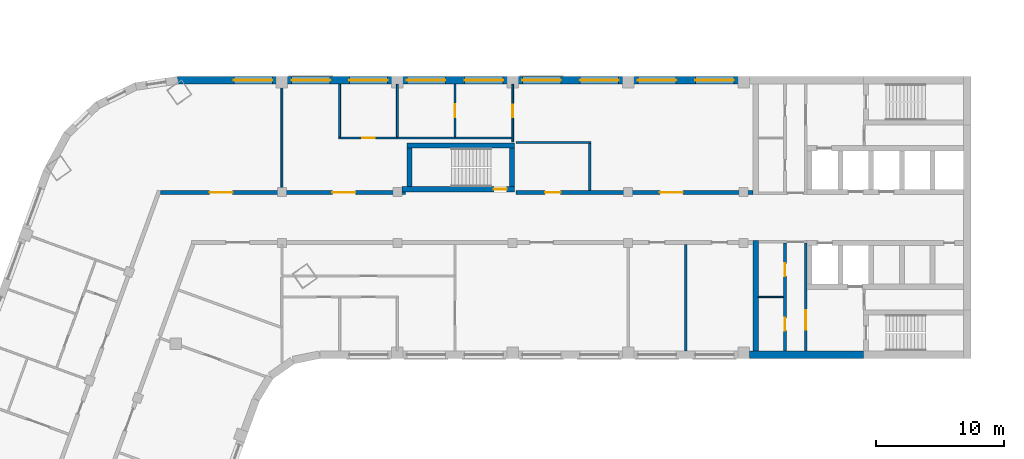
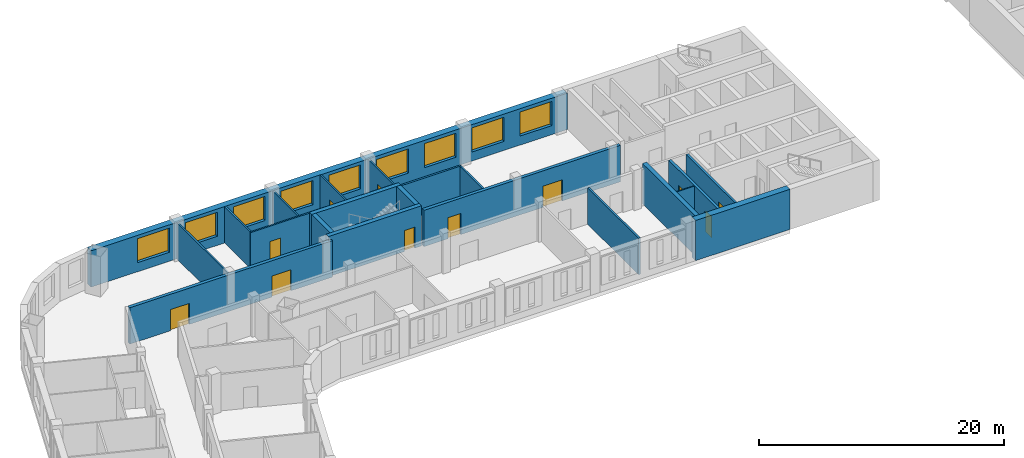
# One storey, part 5 of 12: 21 walls, 11 doors, 9 windows, 20 openings.
"""IFC4 building model written with IfcOpenShell, lengths in metres."""

from ifc_helpers import new_model, si_unit, direction, frame, frame_2d, origin, place, context, subcontext, project, spatial, rectangle, extrude, material, layer, layer_set, type_object, element, fill, save


model = new_model("IFC4")

# Units and contexts
model_context = context("Model", 3, precision=1e-05, world=origin(), true_north=direction((0.0, 1.0)))
body_context = subcontext(model_context, "Body", "Model", "MODEL_VIEW")
ifc_project = project(units=[si_unit("LENGTHUNIT", "METRE"), si_unit("AREAUNIT", "SQUARE_METRE"), si_unit("VOLUMEUNIT", "CUBIC_METRE"), si_unit("PLANEANGLEUNIT", "RADIAN"), si_unit("MASSUNIT", "GRAM", prefix="KILO")], contexts=[model_context])

# Site, building, storey
site_placement = place(None, origin())
site = spatial("IfcSite", under=ifc_project, at=site_placement, CompositionType="ELEMENT")
building_placement = place(site_placement, origin())
building = spatial("IfcBuilding", under=site, at=building_placement, Name="Skarvind Civic Tower", CompositionType="ELEMENT")
storey_placement = place(building_placement, frame((0.0, 0.0, 39.5)))
storey = spatial("IfcBuildingStorey", under=building, at=storey_placement, Name="L08", CompositionType="ELEMENT", Elevation=39.5)

# Walls
ifc_material_1 = material(Name="Acoustic gypsum board on steel studs", Category="steel")
ifc_layer_1 = layer(ifc_material_1, 0.175048828125)
ifc_layer_set_1 = layer_set([ifc_layer_1], Name="ACOUSTIC MEETING-ROOM PARTITION 175")
wall_type_1 = type_object("IfcWallType", Name="ACOUSTIC MEETING-ROOM PARTITION 175", PredefinedType="PARTITIONING", material=ifc_layer_set_1)
wall_1_placement = place(storey_placement, frame((72.5, 133.85009765625, 0.0), z_axis=(0.0, 0.0, 1.0), x_axis=(1.0, 0.0, 0.0)))
element("IfcWall", 1, at=wall_1_placement, inside=storey, type_object=wall_type_1, Name="Partition 08.039", PredefinedType="PARTITIONING", context=body_context, shape_type="SweptSolid", body=[
    extrude(rectangle(XDim=5.837890625, YDim=0.175048828125, at=frame_2d((2.9189453125, 0.0))), origin(), (0.0, 0.0, 1.0), 3.625),
])
wall_2_placement = place(storey_placement, frame((78.25, 133.761962890625, 0.0), z_axis=(0.0, 0.0, 1.0), x_axis=(0.0, -1.0, 0.0)))
element("IfcWall", 2, at=wall_2_placement, inside=storey, type_object=wall_type_1, Name="Partition 08.040", PredefinedType="PARTITIONING", context=body_context, shape_type="SweptSolid", body=[
    extrude(rectangle(XDim=3.661865234375, YDim=0.175048828125, at=frame_2d((1.8310546875, 0.0))), origin(), (0.0, 0.0, 1.0), 3.625),
])
wall_3_placement = place(storey_placement, frame((85.75, 117.60009765625, 0.0), z_axis=(0.0, 0.0, 1.0), x_axis=(0.0, 1.0, 0.0)))
element("IfcWall", 3, at=wall_3_placement, inside=storey, type_object=wall_type_1, Name="Partition 08.042", PredefinedType="PARTITIONING", context=body_context, shape_type="SweptSolid", body=[
    extrude(rectangle(XDim=8.2998046875, YDim=0.175048828125, at=frame_2d((4.14990234375, 0.0))), origin(), (0.0, 0.0, 1.0), 3.625),
])

# Wall, openings, doors
ifc_material_2 = material(Name="Fire-rated gypsum board on steel studs", Category="steel")
ifc_layer_2 = layer(ifc_material_2, 0.300048828125)
ifc_layer_set_2 = layer_set([ifc_layer_2], Name="CORRIDOR WALL 300")
wall_type_2 = type_object("IfcWallType", Name="CORRIDOR WALL 300", PredefinedType="PARTITIONING", material=ifc_layer_set_2)
wall_4_placement = place(storey_placement, frame((44.784912109375, 129.949951171875, 0.0), z_axis=(0.0, 0.0, 1.0), x_axis=(1.0, 0.0, 0.0)))
wall_4 = element("IfcWall", 4, at=wall_4_placement, inside=storey, type_object=wall_type_2, Name="Partition 08.016", PredefinedType="PARTITIONING", context=body_context, shape_type="SweptSolid", body=[
    extrude(rectangle(XDim=19.114990234375, YDim=0.300048828125, at=frame_2d((9.5576171875, 0.0))), origin(), (0.0, 0.0, 1.0), 3.625),
])
opening_1_placement = place(wall_4_placement, frame((13.389892578125, 0.0, 0.0)))
opening_1 = element("IfcOpeningElement", 5, at=opening_1_placement, cuts=wall_4, Name="Opening L08-D004", PredefinedType="OPENING", context=body_context, shape_type="SweptSolid", body=[
    extrude(rectangle(XDim=1.800048828125, YDim=2.10009765625, at=frame_2d((0.89990234375, 1.050048828125))), frame((0.0, 0.159912109375, 0.0), z_axis=(0.0, -1.0, 0.0), x_axis=(1.0, 0.0, 0.0)), (0.0, 0.0, 1.0), 0.320068359375),
])
opening_2_placement = place(wall_4_placement, frame((3.822509765625, 0.0, 0.0)))
opening_2 = element("IfcOpeningElement", 6, at=opening_2_placement, cuts=wall_4, Name="Opening L08-D023", PredefinedType="OPENING", context=body_context, shape_type="SweptSolid", body=[
    extrude(rectangle(XDim=1.800048828125, YDim=2.10009765625, at=frame_2d((0.89990234375, 1.050048828125))), frame((0.0, 0.159912109375, 0.0), z_axis=(0.0, -1.0, 0.0), x_axis=(1.0, 0.0, 0.0)), (0.0, 0.0, 1.0), 0.320068359375),
])
ifc_material_3 = material(Name="Fire-rated timber door leaf", Category="wood")
door_type_1 = type_object("IfcDoorType", Name="FD4 1800x2100", OperationType="NOTDEFINED", PredefinedType="DOOR", material=ifc_material_3)
door_1_placement = place(opening_1_placement, origin())
door_1 = element("IfcDoor", 7, at=door_1_placement, inside=storey, type_object=door_type_1, Name="Door L08-D004", OperationType="DOUBLE_DOOR_SINGLE_SWING", OverallHeight=2.10009765625, OverallWidth=1.800048828125, PredefinedType="DOOR", context=body_context, shape_type="SweptSolid", body=[
    extrude(rectangle(XDim=1.800048828125, YDim=2.10009765625, at=frame_2d((0.89990234375, 1.050048828125))), frame((0.0, 0.02490234375, 0.0), z_axis=(0.0, -1.0, 0.0), x_axis=(1.0, 0.0, 0.0)), (0.0, 0.0, 1.0), 0.050048828125),
])
fill(opening_1, door_1)
door_2_placement = place(opening_2_placement, origin())
door_2 = element("IfcDoor", 8, at=door_2_placement, inside=storey, type_object=door_type_1, Name="Door L08-D023", OperationType="DOUBLE_DOOR_SINGLE_SWING", OverallHeight=2.10009765625, OverallWidth=1.800048828125, PredefinedType="DOOR", context=body_context, shape_type="SweptSolid", body=[
    extrude(rectangle(XDim=1.800048828125, YDim=2.10009765625, at=frame_2d((0.89990234375, 1.050048828125))), frame((0.0, 0.02490234375, 0.0), z_axis=(0.0, -1.0, 0.0), x_axis=(1.0, 0.0, 0.0)), (0.0, 0.0, 1.0), 0.050048828125),
])
fill(opening_2, door_2)

wall_5_placement = place(storey_placement, frame((72.5, 129.949951171875, 0.0), z_axis=(0.0, 0.0, 1.0), x_axis=(1.0, 0.0, 0.0)))
wall_5 = element("IfcWall", 9, at=wall_5_placement, inside=storey, type_object=wall_type_2, Name="Partition 08.038", PredefinedType="PARTITIONING", context=body_context, shape_type="SweptSolid", body=[
    extrude(rectangle(XDim=18.5, YDim=0.300048828125, at=frame_2d((9.25, 0.0))), origin(), (0.0, 0.0, 1.0), 3.625),
])
opening_3_placement = place(wall_5_placement, frame((2.27490234375, 0.0, 0.0)))
opening_3 = element("IfcOpeningElement", 10, at=opening_3_placement, cuts=wall_5, Name="Opening L08-D001", PredefinedType="OPENING", context=body_context, shape_type="SweptSolid", body=[
    extrude(rectangle(XDim=1.199951171875, YDim=2.10009765625, at=frame_2d((0.60009765625, 1.050048828125))), frame((0.0, 0.159912109375, 0.0), z_axis=(0.0, -1.0, 0.0), x_axis=(1.0, 0.0, 0.0)), (0.0, 0.0, 1.0), 0.320068359375),
])
opening_4_placement = place(wall_5_placement, frame((11.22509765625, 0.0, 0.0)))
opening_4 = element("IfcOpeningElement", 11, at=opening_4_placement, cuts=wall_5, Name="Opening L08-D002", PredefinedType="OPENING", context=body_context, shape_type="SweptSolid", body=[
    extrude(rectangle(XDim=1.800048828125, YDim=2.10009765625, at=frame_2d((0.89990234375, 1.050048828125))), frame((0.0, 0.159912109375, 0.0), z_axis=(0.0, -1.0, 0.0), x_axis=(1.0, 0.0, 0.0)), (0.0, 0.0, 1.0), 0.320068359375),
])
door_3_placement = place(opening_4_placement, origin())
door_3 = element("IfcDoor", 12, at=door_3_placement, inside=storey, type_object=door_type_1, Name="Door L08-D002", OperationType="DOUBLE_DOOR_SINGLE_SWING", OverallHeight=2.10009765625, OverallWidth=1.800048828125, PredefinedType="DOOR", context=body_context, shape_type="SweptSolid", body=[
    extrude(rectangle(XDim=1.800048828125, YDim=2.10009765625, at=frame_2d((0.89990234375, 1.050048828125))), frame((0.0, 0.02490234375, 0.0), z_axis=(0.0, -1.0, 0.0), x_axis=(1.0, 0.0, 0.0)), (0.0, 0.0, 1.0), 0.050048828125),
])
fill(opening_4, door_3)
door_type_2 = type_object("IfcDoorType", Name="FD6 1200x2100 DOUBLE", OperationType="NOTDEFINED", PredefinedType="DOOR", material=ifc_material_3)
door_4_placement = place(opening_3_placement, origin())
door_4 = element("IfcDoor", 13, at=door_4_placement, inside=storey, type_object=door_type_2, Name="Door L08-D001", OperationType="DOUBLE_DOOR_SINGLE_SWING", OverallHeight=2.10009765625, OverallWidth=1.199951171875, PredefinedType="DOOR", context=body_context, shape_type="SweptSolid", body=[
    extrude(rectangle(XDim=1.199951171875, YDim=2.10009765625, at=frame_2d((0.60009765625, 1.050048828125))), frame((0.0, 0.02490234375, 0.0), z_axis=(0.0, -1.0, 0.0), x_axis=(1.0, 0.0, 0.0)), (0.0, 0.0, 1.0), 0.050048828125),
])
fill(opening_3, door_4)

# Wall, opening, door
ifc_material_4 = material(Name="Fire-rated masonry partition", Category="masonry")
ifc_layer_3 = layer(ifc_material_4, 0.199951171875)
ifc_layer_set_3 = layer_set([ifc_layer_3], Name="Core enclosure wall 200")
wall_type_3 = type_object("IfcWallType", Name="Core enclosure wall 200", PredefinedType="PARTITIONING", material=ifc_layer_set_3)
wall_6_placement = place(storey_placement, frame((95.10009765625, 117.60009765625, 0.0), z_axis=(0.0, 0.0, 1.0), x_axis=(0.0, 1.0, 0.0)))
wall_6 = element("IfcWall", 14, at=wall_6_placement, inside=storey, type_object=wall_type_3, Name="Core wall C1", PredefinedType="PARTITIONING", context=body_context, shape_type="SweptSolid", body=[
    extrude(rectangle(XDim=8.39990234375, YDim=0.199951171875, at=frame_2d((4.199951171875, 0.0))), origin(), (0.0, 0.0, 1.0), 3.625),
])
opening_5_placement = place(wall_6_placement, frame((1.64990234375, 0.0, 0.0)))
opening_5 = element("IfcOpeningElement", 15, at=opening_5_placement, cuts=wall_6, Name="Opening D-L08-C1-06", PredefinedType="OPENING", context=body_context, shape_type="SweptSolid", body=[
    extrude(rectangle(XDim=1.5, YDim=2.10009765625, at=frame_2d((0.75, 1.050048828125))), frame((0.0, 0.10986328125, 0.0), z_axis=(0.0, -1.0, 0.0), x_axis=(1.0, 0.0, 0.0)), (0.0, 0.0, 1.0), 0.219970703125),
])
ifc_material_5 = material(Name="Fire-rated steel door", Category="steel")
door_type_3 = type_object("IfcDoorType", Name="Fire door 1500", OperationType="NOTDEFINED", PredefinedType="DOOR", material=ifc_material_5)
door_5_placement = place(opening_5_placement, origin())
door_5 = element("IfcDoor", 16, at=door_5_placement, inside=storey, type_object=door_type_3, Name="Fire door", OperationType="DOUBLE_DOOR_SINGLE_SWING", OverallHeight=2.10009765625, OverallWidth=1.5, PredefinedType="DOOR", context=body_context, shape_type="SweptSolid", body=[
    extrude(rectangle(XDim=1.5, YDim=2.10009765625, at=frame_2d((0.75, 1.050048828125))), frame((0.0, 0.02490234375, 0.0), z_axis=(0.0, -1.0, 0.0), x_axis=(1.0, 0.0, 0.0)), (0.0, 0.0, 1.0), 0.050048828125),
])
fill(opening_5, door_5)

# Walls
ifc_material_6 = material(Name="Fire-rated plasterboard partition")
ifc_layer_4 = layer(ifc_material_6, 0.10009765625)
ifc_layer_set_4 = layer_set([ifc_layer_4], Name="Core partition wall 100")
wall_type_4 = type_object("IfcWallType", Name="Core partition wall 100", PredefinedType="PARTITIONING", material=ifc_layer_set_4)
wall_7_placement = place(storey_placement, frame((93.35009765625, 121.800048828125, 0.0), z_axis=(0.0, 0.0, 1.0), x_axis=(-1.0, 0.0, 0.0)))
element("IfcWall", 17, at=wall_7_placement, inside=storey, type_object=wall_type_4, Name="Core wall C1", PredefinedType="PARTITIONING", context=body_context, shape_type="SweptSolid", body=[
    extrude(rectangle(XDim=1.9501953125, YDim=0.10009765625, at=frame_2d((0.97509765625, 0.0))), origin(), (0.0, 0.0, 1.0), 3.625),
])
ifc_material_7 = material(Name="Concrete C80", Category="concrete")
ifc_layer_5 = layer(ifc_material_7, 0.39990234375)
ifc_layer_set_5 = layer_set([ifc_layer_5], Name="Core wall 400 C80")
wall_type_5 = type_object("IfcWallType", Name="Core wall 400 C80", PredefinedType="SHEAR", material=ifc_layer_set_5)
wall_8_placement = place(storey_placement, frame((91.199951171875, 126.199951171875, 0.0), z_axis=(0.0, 0.0, 1.0), x_axis=(0.0, -1.0, 0.0)))
element("IfcWall", 18, at=wall_8_placement, inside=storey, type_object=wall_type_5, Name="Core wall C1 north inner face L08", PredefinedType="SHEAR", context=body_context, shape_type="SweptSolid", body=[
    extrude(rectangle(XDim=8.599853515625, YDim=0.39990234375, at=frame_2d((4.2998046875, 0.0))), origin(), (0.0, 0.0, 1.0), 4.0),
])

# Wall, opening, door
wall_9_placement = place(storey_placement, frame((63.60009765625, 130.199951171875, 0.0), z_axis=(0.0, 0.0, 1.0), x_axis=(1.0, 0.0, 0.0)))
wall_9 = element("IfcWall", 19, at=wall_9_placement, inside=storey, type_object=wall_type_5, Name="Core wall CM inner L08", PredefinedType="SHEAR", context=body_context, shape_type="SweptSolid", body=[
    extrude(rectangle(XDim=8.7998046875, YDim=0.39990234375, at=frame_2d((4.39990234375, 0.0))), origin(), (0.0, 0.0, 1.0), 4.0),
])
opening_6_placement = place(wall_9_placement, frame((7.175048828125, 0.0, 0.0)))
opening_6 = element("IfcOpeningElement", 20, at=opening_6_placement, cuts=wall_9, Name="Opening D-L08-CM-01", PredefinedType="OPENING", context=body_context, shape_type="SweptSolid", body=[
    extrude(rectangle(XDim=1.0, YDim=2.10009765625, at=frame_2d((0.5, 1.050048828125))), frame((0.0, 0.2099609375, 0.0), z_axis=(0.0, -1.0, 0.0), x_axis=(1.0, 0.0, 0.0)), (0.0, 0.0, 1.0), 0.419921875),
])
door_type_4 = type_object("IfcDoorType", Name="Fire door 1000", OperationType="NOTDEFINED", PredefinedType="DOOR", material=ifc_material_5)
door_6_placement = place(opening_6_placement, origin())
door_6 = element("IfcDoor", 21, at=door_6_placement, inside=storey, type_object=door_type_4, Name="Fire door", OperationType="SINGLE_SWING_LEFT", OverallHeight=2.10009765625, OverallWidth=1.0, PredefinedType="DOOR", context=body_context, shape_type="SweptSolid", body=[
    extrude(rectangle(XDim=1.0, YDim=2.10009765625, at=frame_2d((0.5, 1.050048828125))), frame((0.0, 0.02490234375, 0.0), z_axis=(0.0, -1.0, 0.0), x_axis=(1.0, 0.0, 0.0)), (0.0, 0.0, 1.0), 0.050048828125),
])
fill(opening_6, door_6)

# Walls
wall_10_placement = place(storey_placement, frame((64.0, 133.60009765625, 0.0), z_axis=(0.0, 0.0, 1.0), x_axis=(1.0, 0.0, 0.0)))
element("IfcWall", 22, at=wall_10_placement, inside=storey, type_object=wall_type_5, Name="Core wall CM outer L08", PredefinedType="SHEAR", context=body_context, shape_type="SweptSolid", body=[
    extrude(rectangle(XDim=8.39990234375, YDim=0.39990234375, at=frame_2d((4.199951171875, 0.0))), origin(), (0.0, 0.0, 1.0), 4.0),
])
for number, where, z_axis, x_axis, name in (
    (23, (64.199951171875, 130.39990234375, 0.0), (0.0, 0.0, 1.0), (0.0, 1.0, 0.0), "Core wall CM west L08"),
    (24, (72.199951171875, 130.39990234375, 0.0), (0.0, 0.0, 1.0), (0.0, 1.0, 0.0), "Core wall CM end L08"),
):
    element("IfcWall", number, at=place(storey_placement, frame(where, z_axis=z_axis, x_axis=x_axis)), inside=storey, type_object=wall_type_5, Name=name, PredefinedType="SHEAR", context=body_context, shape_type="SweptSolid", body=[
        extrude(rectangle(XDim=3.0, YDim=0.39990234375, at=frame_2d((1.5, 0.0))), origin(), (0.0, 0.0, 1.0), 4.0),
    ])
ifc_layer_6 = layer(ifc_material_7, 0.60009765625)
ifc_layer_set_6 = layer_set([ifc_layer_6], Name="Core wall 600 C80")
wall_type_6 = type_object("IfcWallType", Name="Core wall 600 C80", PredefinedType="SHEAR", material=ifc_layer_set_6)
wall_11_placement = place(storey_placement, frame((99.60009765625, 117.300048828125, 0.0), z_axis=(0.0, 0.0, 1.0), x_axis=(-1.0, 0.0, 0.0)))
element("IfcWall", 25, at=wall_11_placement, inside=storey, type_object=wall_type_6, Name="Core wall C1 north side L08", PredefinedType="SHEAR", context=body_context, shape_type="SweptSolid", body=[
    extrude(rectangle(XDim=8.900146484375, YDim=0.60009765625, at=frame_2d((4.4501953125, 0.0))), origin(), (0.0, 0.0, 1.0), 4.0),
])
ifc_material_8 = material(Name="Plasterboard partition on steel studs", Category="steel")
ifc_layer_7 = layer(ifc_material_8, 0.14990234375)
ifc_layer_set_7 = layer_set([ifc_layer_7], Name="PARTITION 150")
wall_type_7 = type_object("IfcWallType", Name="PARTITION 150", PredefinedType="PARTITIONING", material=ifc_layer_set_7)
wall_12_placement = place(storey_placement, frame((54.25, 138.39990234375, 0.0), z_axis=(0.0, 0.0, 1.0), x_axis=(0.0, -1.0, 0.0)))
element("IfcWall", 26, at=wall_12_placement, inside=storey, type_object=wall_type_7, Name="Partition 08.028", PredefinedType="PARTITIONING", context=body_context, shape_type="SweptSolid", body=[
    extrude(rectangle(XDim=8.2998046875, YDim=0.14990234375, at=frame_2d((4.14990234375, 0.0))), origin(), (0.0, 0.0, 1.0), 3.625),
])

# Wall, opening, door
wall_13_placement = place(storey_placement, frame((72.175048828125, 134.199951171875, 0.0), z_axis=(0.0, 0.0, 1.0), x_axis=(-1.0, 0.0, 0.0)))
wall_13 = element("IfcWall", 27, at=wall_13_placement, inside=storey, type_object=wall_type_7, Name="Partition 08.030", PredefinedType="PARTITIONING", context=body_context, shape_type="SweptSolid", body=[
    extrude(rectangle(XDim=13.5, YDim=0.14990234375, at=frame_2d((6.75, 0.0))), origin(), (0.0, 0.0, 1.0), 3.625),
])
opening_7_placement = place(wall_13_placement, frame((10.675048828125, 0.0, 0.0)))
opening_7 = element("IfcOpeningElement", 28, at=opening_7_placement, cuts=wall_13, Name="Opening L08-D003", PredefinedType="OPENING", context=body_context, shape_type="SweptSolid", body=[
    extrude(rectangle(XDim=1.0, YDim=2.10009765625, at=frame_2d((0.5, 1.050048828125))), frame((0.0, 0.0849609375, 0.0), z_axis=(0.0, -1.0, 0.0), x_axis=(1.0, 0.0, 0.0)), (0.0, 0.0, 1.0), 0.169921875),
])
ifc_material_9 = material(Name="Timber door leaf", Category="wood")
door_type_5 = type_object("IfcDoorType", Name="D1 1000x2100", OperationType="NOTDEFINED", PredefinedType="DOOR", material=ifc_material_9)
door_7_placement = place(opening_7_placement, origin())
door_7 = element("IfcDoor", 29, at=door_7_placement, inside=storey, type_object=door_type_5, Name="Door L08-D003", OperationType="SINGLE_SWING_LEFT", OverallHeight=2.10009765625, OverallWidth=1.0, PredefinedType="DOOR", context=body_context, shape_type="SweptSolid", body=[
    extrude(rectangle(XDim=1.0, YDim=2.10009765625, at=frame_2d((0.5, 1.050048828125))), frame((0.0, 0.02490234375, 0.0), z_axis=(0.0, -1.0, 0.0), x_axis=(1.0, 0.0, 0.0)), (0.0, 0.0, 1.0), 0.050048828125),
])
fill(opening_7, door_7)

# Walls
for number, where, z_axis, x_axis, name in (
    (30, (58.75, 134.27490234375, 0.0), (0.0, 0.0, 1.0), (0.0, 1.0, 0.0), "Partition 08.031"),
    (31, (63.25, 134.27490234375, 0.0), (0.0, 0.0, 1.0), (0.0, 1.0, 0.0), "Partition 08.033"),
):
    element("IfcWall", number, at=place(storey_placement, frame(where, z_axis=z_axis, x_axis=x_axis)), inside=storey, type_object=wall_type_7, Name=name, PredefinedType="PARTITIONING", context=body_context, shape_type="SweptSolid", body=[
        extrude(rectangle(XDim=4.125, YDim=0.14990234375, at=frame_2d((2.0625, 0.0))), origin(), (0.0, 0.0, 1.0), 3.625),
    ])

# Wall, opening, door
wall_14_placement = place(storey_placement, frame((67.75, 134.27490234375, 0.0), z_axis=(0.0, 0.0, 1.0), x_axis=(0.0, 1.0, 0.0)))
wall_14 = element("IfcWall", 32, at=wall_14_placement, inside=storey, type_object=wall_type_7, Name="Partition 08.036", PredefinedType="PARTITIONING", context=body_context, shape_type="SweptSolid", body=[
    extrude(rectangle(XDim=4.125, YDim=0.14990234375, at=frame_2d((2.0625, 0.0))), origin(), (0.0, 0.0, 1.0), 3.625),
])
opening_8_placement = place(wall_14_placement, frame((1.552490234375, 0.0, 0.0)))
opening_8 = element("IfcOpeningElement", 33, at=opening_8_placement, cuts=wall_14, Name="Opening L08-D028", PredefinedType="OPENING", context=body_context, shape_type="SweptSolid", body=[
    extrude(rectangle(XDim=1.0, YDim=2.10009765625, at=frame_2d((0.5, 1.050048828125))), frame((0.0, 0.0849609375, 0.0), z_axis=(0.0, -1.0, 0.0), x_axis=(1.0, 0.0, 0.0)), (0.0, 0.0, 1.0), 0.169921875),
])
door_8_placement = place(opening_8_placement, origin())
door_8 = element("IfcDoor", 34, at=door_8_placement, inside=storey, type_object=door_type_5, Name="Door L08-D028", OperationType="SINGLE_SWING_LEFT", OverallHeight=2.10009765625, OverallWidth=1.0, PredefinedType="DOOR", context=body_context, shape_type="SweptSolid", body=[
    extrude(rectangle(XDim=1.0, YDim=2.10009765625, at=frame_2d((0.5, 1.050048828125))), frame((0.0, 0.02490234375, 0.0), z_axis=(0.0, -1.0, 0.0), x_axis=(1.0, 0.0, 0.0)), (0.0, 0.0, 1.0), 0.050048828125),
])
fill(opening_8, door_8)

wall_15_placement = place(storey_placement, frame((72.25, 133.89990234375, 0.0), z_axis=(0.0, 0.0, 1.0), x_axis=(0.0, 1.0, 0.0)))
wall_15 = element("IfcWall", 35, at=wall_15_placement, inside=storey, type_object=wall_type_7, Name="Partition 08.037", PredefinedType="PARTITIONING", context=body_context, shape_type="SweptSolid", body=[
    extrude(rectangle(XDim=4.5, YDim=0.14990234375, at=frame_2d((2.25, 0.0))), origin(), (0.0, 0.0, 1.0), 3.625),
])
opening_9_placement = place(wall_15_placement, frame((1.89990234375, 0.0, 0.0)))
opening_9 = element("IfcOpeningElement", 36, at=opening_9_placement, cuts=wall_15, Name="Opening L08-D027", PredefinedType="OPENING", context=body_context, shape_type="SweptSolid", body=[
    extrude(rectangle(XDim=1.0, YDim=2.10009765625, at=frame_2d((0.5, 1.050048828125))), frame((0.0, 0.0849609375, 0.0), z_axis=(0.0, -1.0, 0.0), x_axis=(1.0, 0.0, 0.0)), (0.0, 0.0, 1.0), 0.169921875),
])
door_9_placement = place(opening_9_placement, origin())
door_9 = element("IfcDoor", 37, at=door_9_placement, inside=storey, type_object=door_type_5, Name="Door L08-D027", OperationType="SINGLE_SWING_LEFT", OverallHeight=2.10009765625, OverallWidth=1.0, PredefinedType="DOOR", context=body_context, shape_type="SweptSolid", body=[
    extrude(rectangle(XDim=1.0, YDim=2.10009765625, at=frame_2d((0.5, 1.050048828125))), frame((0.0, 0.02490234375, 0.0), z_axis=(0.0, -1.0, 0.0), x_axis=(1.0, 0.0, 0.0)), (0.0, 0.0, 1.0), 0.050048828125),
])
fill(opening_9, door_9)

# Wall, openings, doors
ifc_layer_8 = layer(ifc_material_4, 0.25)
ifc_layer_set_8 = layer_set([ifc_layer_8], Name="Service block wall 250")
wall_type_8 = type_object("IfcWallType", Name="Service block wall 250", PredefinedType="PARTITIONING", material=ifc_layer_set_8)
wall_16_placement = place(storey_placement, frame((93.47509765625, 117.60009765625, 0.0), z_axis=(0.0, 0.0, 1.0), x_axis=(0.0, 1.0, 0.0)))
wall_16 = element("IfcWall", 38, at=wall_16_placement, inside=storey, type_object=wall_type_8, Name="Core wall C1", PredefinedType="PARTITIONING", context=body_context, shape_type="SweptSolid", body=[
    extrude(rectangle(XDim=8.39990234375, YDim=0.25, at=frame_2d((4.199951171875, 0.0))), origin(), (0.0, 0.0, 1.0), 3.625),
])
opening_10_placement = place(wall_16_placement, frame((5.824951171875, 0.0, 0.0)))
opening_10 = element("IfcOpeningElement", 39, at=opening_10_placement, cuts=wall_16, Name="Opening D-L08-C1-09", PredefinedType="OPENING", context=body_context, shape_type="SweptSolid", body=[
    extrude(rectangle(XDim=1.0, YDim=2.10009765625, at=frame_2d((0.5, 1.050048828125))), frame((0.0, 0.135009765625, 0.0), z_axis=(0.0, -1.0, 0.0), x_axis=(1.0, 0.0, 0.0)), (0.0, 0.0, 1.0), 0.27001953125),
])
opening_11_placement = place(wall_16_placement, frame((1.574951171875, 0.0, 0.0)))
opening_11 = element("IfcOpeningElement", 40, at=opening_11_placement, cuts=wall_16, Name="Opening D-L08-C1-10", PredefinedType="OPENING", context=body_context, shape_type="SweptSolid", body=[
    extrude(rectangle(XDim=1.0, YDim=2.10009765625, at=frame_2d((0.5, 1.050048828125))), frame((0.0, 0.135009765625, 0.0), z_axis=(0.0, -1.0, 0.0), x_axis=(1.0, 0.0, 0.0)), (0.0, 0.0, 1.0), 0.27001953125),
])
door_10_placement = place(opening_10_placement, origin())
door_10 = element("IfcDoor", 41, at=door_10_placement, inside=storey, type_object=door_type_4, Name="Fire door", OperationType="SINGLE_SWING_LEFT", OverallHeight=2.10009765625, OverallWidth=1.0, PredefinedType="DOOR", context=body_context, shape_type="SweptSolid", body=[
    extrude(rectangle(XDim=1.0, YDim=2.10009765625, at=frame_2d((0.5, 1.050048828125))), frame((0.0, 0.02490234375, 0.0), z_axis=(0.0, -1.0, 0.0), x_axis=(1.0, 0.0, 0.0)), (0.0, 0.0, 1.0), 0.050048828125),
])
fill(opening_10, door_10)
door_11_placement = place(opening_11_placement, origin())
door_11 = element("IfcDoor", 42, at=door_11_placement, inside=storey, type_object=door_type_4, Name="Fire door", OperationType="SINGLE_SWING_RIGHT", OverallHeight=2.10009765625, OverallWidth=1.0, PredefinedType="DOOR", context=body_context, shape_type="SweptSolid", body=[
    extrude(rectangle(XDim=1.0, YDim=2.10009765625, at=frame_2d((0.5, 1.050048828125))), frame((0.0, 0.02490234375, 0.0), z_axis=(0.0, -1.0, 0.0), x_axis=(1.0, 0.0, 0.0)), (0.0, 0.0, 1.0), 0.050048828125),
])
fill(opening_11, door_11)

# Wall, openings, windows
ifc_material_10 = material(Name="Limestone masonry cladding on insulated backing", Category="masonry")
ifc_layer_9 = layer(ifc_material_10, 0.60009765625)
ifc_layer_set_9 = layer_set([ifc_layer_9], Name="WX1 STONE FACADE WALL 600")
wall_type_9 = type_object("IfcWallType", Name="WX1 STONE FACADE WALL 600", PredefinedType="SOLIDWALL", material=ifc_layer_set_9)
wall_17_placement = place(storey_placement, frame((46.095458984375, 138.699951171875, 0.0), z_axis=(0.0, 0.0, 1.0), x_axis=(1.0, 0.0, 0.0)))
wall_17 = element("IfcWall", 43, at=wall_17_placement, inside=storey, type_object=wall_type_9, Name="STONE FACADE WALL", PredefinedType="SOLIDWALL", context=body_context, shape_type="SweptSolid", body=[
    extrude(rectangle(XDim=44.884521484375, YDim=0.60009765625, at=frame_2d((22.4423828125, 0.0))), origin(), (0.0, 0.0, 1.0), 3.625),
])
opening_12_placement = place(wall_17_placement, frame((4.404541015625, 0.0, 0.89990234375)))
opening_12 = element("IfcOpeningElement", 44, at=opening_12_placement, cuts=wall_17, Name="Opening WN1", PredefinedType="OPENING", context=body_context, shape_type="SweptSolid", body=[
    extrude(rectangle(XDim=3.0, YDim=2.39990234375, at=frame_2d((1.5, 1.199951171875))), frame((0.0, 0.31005859375, 0.0), z_axis=(0.0, -1.0, 0.0), x_axis=(1.0, 0.0, 0.0)), (0.0, 0.0, 1.0), 0.6201171875),
])
opening_13_placement = place(wall_17_placement, frame((8.904541015625, 0.0, 0.89990234375)))
opening_13 = element("IfcOpeningElement", 45, at=opening_13_placement, cuts=wall_17, Name="Opening WN1", PredefinedType="OPENING", context=body_context, shape_type="SweptSolid", body=[
    extrude(rectangle(XDim=3.0, YDim=2.39990234375, at=frame_2d((1.5, 1.199951171875))), frame((0.0, 0.31005859375, 0.0), z_axis=(0.0, -1.0, 0.0), x_axis=(1.0, 0.0, 0.0)), (0.0, 0.0, 1.0), 0.6201171875),
])
opening_14_placement = place(wall_17_placement, frame((13.404541015625, 0.0, 0.89990234375)))
opening_14 = element("IfcOpeningElement", 46, at=opening_14_placement, cuts=wall_17, Name="Opening WN1", PredefinedType="OPENING", context=body_context, shape_type="SweptSolid", body=[
    extrude(rectangle(XDim=3.0, YDim=2.39990234375, at=frame_2d((1.5, 1.199951171875))), frame((0.0, 0.31005859375, 0.0), z_axis=(0.0, -1.0, 0.0), x_axis=(1.0, 0.0, 0.0)), (0.0, 0.0, 1.0), 0.6201171875),
])
opening_15_placement = place(wall_17_placement, frame((17.904541015625, 0.0, 0.89990234375)))
opening_15 = element("IfcOpeningElement", 47, at=opening_15_placement, cuts=wall_17, Name="Opening WN1", PredefinedType="OPENING", context=body_context, shape_type="SweptSolid", body=[
    extrude(rectangle(XDim=3.0, YDim=2.39990234375, at=frame_2d((1.5, 1.199951171875))), frame((0.0, 0.31005859375, 0.0), z_axis=(0.0, -1.0, 0.0), x_axis=(1.0, 0.0, 0.0)), (0.0, 0.0, 1.0), 0.6201171875),
])
opening_16_placement = place(wall_17_placement, frame((22.404541015625, 0.0, 0.89990234375)))
opening_16 = element("IfcOpeningElement", 48, at=opening_16_placement, cuts=wall_17, Name="Opening WN1", PredefinedType="OPENING", context=body_context, shape_type="SweptSolid", body=[
    extrude(rectangle(XDim=3.0, YDim=2.39990234375, at=frame_2d((1.5, 1.199951171875))), frame((0.0, 0.31005859375, 0.0), z_axis=(0.0, -1.0, 0.0), x_axis=(1.0, 0.0, 0.0)), (0.0, 0.0, 1.0), 0.6201171875),
])
opening_17_placement = place(wall_17_placement, frame((26.904541015625, 0.0, 0.89990234375)))
opening_17 = element("IfcOpeningElement", 49, at=opening_17_placement, cuts=wall_17, Name="Opening WN1", PredefinedType="OPENING", context=body_context, shape_type="SweptSolid", body=[
    extrude(rectangle(XDim=3.0, YDim=2.39990234375, at=frame_2d((1.5, 1.199951171875))), frame((0.0, 0.31005859375, 0.0), z_axis=(0.0, -1.0, 0.0), x_axis=(1.0, 0.0, 0.0)), (0.0, 0.0, 1.0), 0.6201171875),
])
opening_18_placement = place(wall_17_placement, frame((31.404541015625, 0.0, 0.89990234375)))
opening_18 = element("IfcOpeningElement", 50, at=opening_18_placement, cuts=wall_17, Name="Opening WN1", PredefinedType="OPENING", context=body_context, shape_type="SweptSolid", body=[
    extrude(rectangle(XDim=3.0, YDim=2.39990234375, at=frame_2d((1.5, 1.199951171875))), frame((0.0, 0.31005859375, 0.0), z_axis=(0.0, -1.0, 0.0), x_axis=(1.0, 0.0, 0.0)), (0.0, 0.0, 1.0), 0.6201171875),
])
opening_19_placement = place(wall_17_placement, frame((35.904541015625, 0.0, 0.89990234375)))
opening_19 = element("IfcOpeningElement", 51, at=opening_19_placement, cuts=wall_17, Name="Opening WN1", PredefinedType="OPENING", context=body_context, shape_type="SweptSolid", body=[
    extrude(rectangle(XDim=3.0, YDim=2.39990234375, at=frame_2d((1.5, 1.199951171875))), frame((0.0, 0.31005859375, 0.0), z_axis=(0.0, -1.0, 0.0), x_axis=(1.0, 0.0, 0.0)), (0.0, 0.0, 1.0), 0.6201171875),
])
opening_20_placement = place(wall_17_placement, frame((40.404541015625, 0.0, 0.89990234375)))
opening_20 = element("IfcOpeningElement", 52, at=opening_20_placement, cuts=wall_17, Name="Opening WN1", PredefinedType="OPENING", context=body_context, shape_type="SweptSolid", body=[
    extrude(rectangle(XDim=3.0, YDim=2.39990234375, at=frame_2d((1.5, 1.199951171875))), frame((0.0, 0.31005859375, 0.0), z_axis=(0.0, -1.0, 0.0), x_axis=(1.0, 0.0, 0.0)), (0.0, 0.0, 1.0), 0.6201171875),
])
ifc_material_11 = material(Name="Timber frame, double glazing, timber-lined reveal", Category="wood")
window_type = type_object("IfcWindowType", Name="WN1 PUNCHED STONE WINDOW 3000 x 2400", PartitioningType="SINGLE_PANEL", PredefinedType="WINDOW", material=ifc_material_11)
window_1_placement = place(opening_12_placement, origin())
window_1 = element("IfcWindow", 53, at=window_1_placement, inside=storey, type_object=window_type, Name="WN1 WINDOW", OverallHeight=2.39990234375, OverallWidth=3.0, PartitioningType="SINGLE_PANEL", PredefinedType="WINDOW", context=body_context, shape_type="SweptSolid", body=[
    extrude(rectangle(XDim=3.0, YDim=2.39990234375, at=frame_2d((1.5, 1.199951171875))), frame((0.0, 0.030029296875, 0.0), z_axis=(0.0, -1.0, 0.0), x_axis=(1.0, 0.0, 0.0)), (0.0, 0.0, 1.0), 0.06005859375),
])
fill(opening_12, window_1)
window_2_placement = place(opening_13_placement, origin())
window_2 = element("IfcWindow", 54, at=window_2_placement, inside=storey, type_object=window_type, Name="WN1 WINDOW", OverallHeight=2.39990234375, OverallWidth=3.0, PartitioningType="SINGLE_PANEL", PredefinedType="WINDOW", context=body_context, shape_type="SweptSolid", body=[
    extrude(rectangle(XDim=3.0, YDim=2.39990234375, at=frame_2d((1.5, 1.199951171875))), frame((0.0, 0.030029296875, 0.0), z_axis=(0.0, -1.0, 0.0), x_axis=(1.0, 0.0, 0.0)), (0.0, 0.0, 1.0), 0.06005859375),
])
fill(opening_13, window_2)
window_3_placement = place(opening_14_placement, origin())
window_3 = element("IfcWindow", 55, at=window_3_placement, inside=storey, type_object=window_type, Name="WN1 WINDOW", OverallHeight=2.39990234375, OverallWidth=3.0, PartitioningType="SINGLE_PANEL", PredefinedType="WINDOW", context=body_context, shape_type="SweptSolid", body=[
    extrude(rectangle(XDim=3.0, YDim=2.39990234375, at=frame_2d((1.5, 1.199951171875))), frame((0.0, 0.030029296875, 0.0), z_axis=(0.0, -1.0, 0.0), x_axis=(1.0, 0.0, 0.0)), (0.0, 0.0, 1.0), 0.06005859375),
])
fill(opening_14, window_3)
window_4_placement = place(opening_15_placement, origin())
window_4 = element("IfcWindow", 56, at=window_4_placement, inside=storey, type_object=window_type, Name="WN1 WINDOW", OverallHeight=2.39990234375, OverallWidth=3.0, PartitioningType="SINGLE_PANEL", PredefinedType="WINDOW", context=body_context, shape_type="SweptSolid", body=[
    extrude(rectangle(XDim=3.0, YDim=2.39990234375, at=frame_2d((1.5, 1.199951171875))), frame((0.0, 0.030029296875, 0.0), z_axis=(0.0, -1.0, 0.0), x_axis=(1.0, 0.0, 0.0)), (0.0, 0.0, 1.0), 0.06005859375),
])
fill(opening_15, window_4)
window_5_placement = place(opening_16_placement, origin())
window_5 = element("IfcWindow", 57, at=window_5_placement, inside=storey, type_object=window_type, Name="WN1 WINDOW", OverallHeight=2.39990234375, OverallWidth=3.0, PartitioningType="SINGLE_PANEL", PredefinedType="WINDOW", context=body_context, shape_type="SweptSolid", body=[
    extrude(rectangle(XDim=3.0, YDim=2.39990234375, at=frame_2d((1.5, 1.199951171875))), frame((0.0, 0.030029296875, 0.0), z_axis=(0.0, -1.0, 0.0), x_axis=(1.0, 0.0, 0.0)), (0.0, 0.0, 1.0), 0.06005859375),
])
fill(opening_16, window_5)
window_6_placement = place(opening_17_placement, origin())
window_6 = element("IfcWindow", 58, at=window_6_placement, inside=storey, type_object=window_type, Name="WN1 WINDOW", OverallHeight=2.39990234375, OverallWidth=3.0, PartitioningType="SINGLE_PANEL", PredefinedType="WINDOW", context=body_context, shape_type="SweptSolid", body=[
    extrude(rectangle(XDim=3.0, YDim=2.39990234375, at=frame_2d((1.5, 1.199951171875))), frame((0.0, 0.030029296875, 0.0), z_axis=(0.0, -1.0, 0.0), x_axis=(1.0, 0.0, 0.0)), (0.0, 0.0, 1.0), 0.06005859375),
])
fill(opening_17, window_6)
window_7_placement = place(opening_18_placement, origin())
window_7 = element("IfcWindow", 59, at=window_7_placement, inside=storey, type_object=window_type, Name="WN1 WINDOW", OverallHeight=2.39990234375, OverallWidth=3.0, PartitioningType="SINGLE_PANEL", PredefinedType="WINDOW", context=body_context, shape_type="SweptSolid", body=[
    extrude(rectangle(XDim=3.0, YDim=2.39990234375, at=frame_2d((1.5, 1.199951171875))), frame((0.0, 0.030029296875, 0.0), z_axis=(0.0, -1.0, 0.0), x_axis=(1.0, 0.0, 0.0)), (0.0, 0.0, 1.0), 0.06005859375),
])
fill(opening_18, window_7)
window_8_placement = place(opening_19_placement, origin())
window_8 = element("IfcWindow", 60, at=window_8_placement, inside=storey, type_object=window_type, Name="WN1 WINDOW", OverallHeight=2.39990234375, OverallWidth=3.0, PartitioningType="SINGLE_PANEL", PredefinedType="WINDOW", context=body_context, shape_type="SweptSolid", body=[
    extrude(rectangle(XDim=3.0, YDim=2.39990234375, at=frame_2d((1.5, 1.199951171875))), frame((0.0, 0.030029296875, 0.0), z_axis=(0.0, -1.0, 0.0), x_axis=(1.0, 0.0, 0.0)), (0.0, 0.0, 1.0), 0.06005859375),
])
fill(opening_19, window_8)
window_9_placement = place(opening_20_placement, origin())
window_9 = element("IfcWindow", 61, at=window_9_placement, inside=storey, type_object=window_type, Name="WN1 WINDOW", OverallHeight=2.39990234375, OverallWidth=3.0, PartitioningType="SINGLE_PANEL", PredefinedType="WINDOW", context=body_context, shape_type="SweptSolid", body=[
    extrude(rectangle(XDim=3.0, YDim=2.39990234375, at=frame_2d((1.5, 1.199951171875))), frame((0.0, 0.030029296875, 0.0), z_axis=(0.0, -1.0, 0.0), x_axis=(1.0, 0.0, 0.0)), (0.0, 0.0, 1.0), 0.06005859375),
])
fill(opening_20, window_9)

save(model, "model.ifc")
